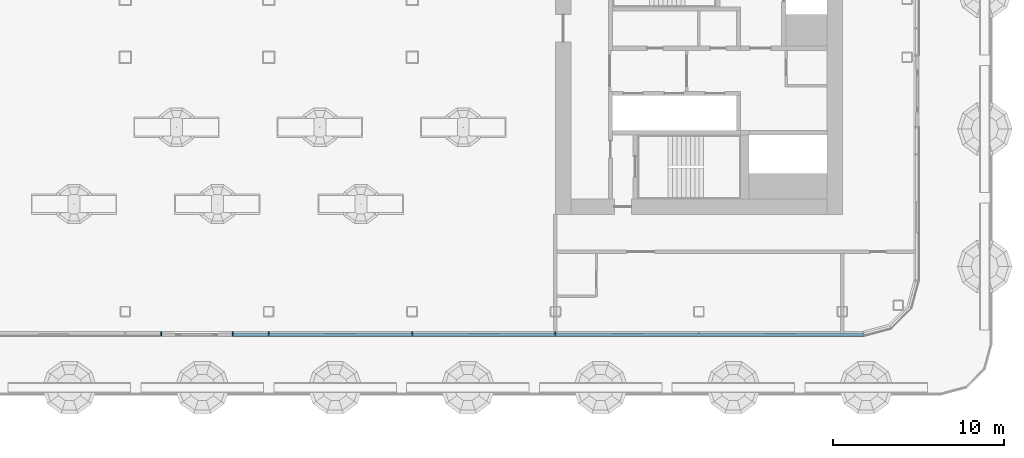
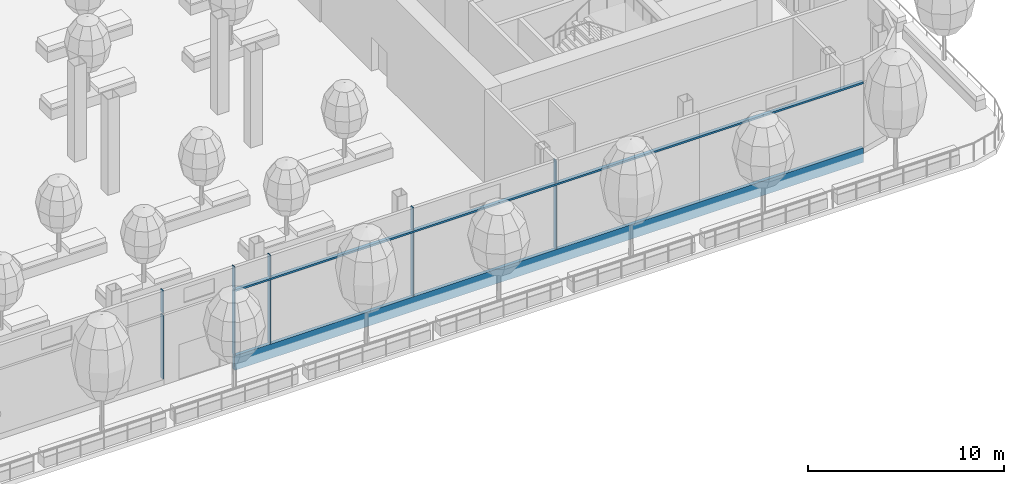
# One storey, part 4 of 41: 12 members, 1 element without a shape of its own.
"""IFC4 building model written with IfcOpenShell, lengths in metres."""

from ifc_helpers import new_model, si_unit, direction, frame, origin, origin_2d, place, context, subcontext, project, spatial, rectangle, extrude, material, layer, layer_set, material_profile, profile_set, type_object, element, aggregate, save


model = new_model("IFC4")

# Units and contexts
model_context = context("Model", 3, precision=1e-05, world=origin(), true_north=direction((0.0, 1.0)))
body_context = subcontext(model_context, "Body", "Model", "MODEL_VIEW")
ifc_project = project(units=[si_unit("LENGTHUNIT", "METRE"), si_unit("AREAUNIT", "SQUARE_METRE"), si_unit("VOLUMEUNIT", "CUBIC_METRE"), si_unit("PLANEANGLEUNIT", "RADIAN"), si_unit("MASSUNIT", "GRAM", prefix="KILO")], contexts=[model_context])

# Site, building, storey
site_placement = place(None, origin())
site = spatial("IfcSite", under=ifc_project, at=site_placement, CompositionType="ELEMENT")
building_placement = place(site_placement, origin())
building = spatial("IfcBuilding", under=site, at=building_placement, Name="Hakoniwa Tower and Hamabe Station Hall", CompositionType="ELEMENT")
storey_placement = place(building_placement, frame((0.0, 0.0, 180.199951171875)))
storey = spatial("IfcBuildingStorey", under=building, at=storey_placement, Name="L51", CompositionType="ELEMENT", Elevation=180.199951171875)

# Curtain wall, members
ifc_material_1 = material(Name="Dark low-e laminated glass", Category="glass")
ifc_layer = layer(ifc_material_1, 0.199951171875)
ifc_layer_set = layer_set([ifc_layer], Name="CW-2 SKY GARDEN")
curtain_wall_type = type_object("IfcCurtainWallType", Name="CW-2 SKY GARDEN", PredefinedType="NOTDEFINED", material=ifc_layer_set)
curtain_wall_placement = place(storey_placement, origin())
curtain_wall = element("IfcCurtainWall", 1, at=curtain_wall_placement, inside=storey, type_object=curtain_wall_type, Name="CW-2 curtain wall", PredefinedType="NOTDEFINED")
ifc_material_2 = material(Name="Aluminium 6063-T5 black anodised", Category="aluminium")
ifc_material_profile_1 = material_profile(ifc_material_2, rectangle(XDim=0.199951171875, YDim=0.1201171875, at=origin_2d()), Name="CW MID TRANSOM 120X200")
ifc_profile_set_1 = profile_set([ifc_material_profile_1], Name="Aluminium 6063-T5 black anodised")
member_type_1 = type_object("IfcMemberType", Name="CW MID TRANSOM 120X200", PredefinedType="USERDEFINED", material=ifc_profile_set_1)
member_1_placement = place(storey_placement, frame((-2.1298828125, -15.449951171875, 4.39013671875), z_axis=(1.0, 0.0, 0.0), x_axis=(0.0, 1.0, 0.0)))
member_1 = element("IfcMember", 2, at=member_1_placement, type_object=member_type_1, Name="CW-2 transom", ObjectType="TRANSOM", PredefinedType="USERDEFINED", context=body_context, shape_type="SweptSolid", body=[
    extrude(rectangle(XDim=0.199951171875, YDim=0.1201171875, at=origin_2d()), origin(), (0.0, 0.0, 1.0), 36.969482421875),
])
ifc_material_3 = material(Name="Aluminium 6063-T5 black anodised", Category="aluminium")
ifc_material_profile_2 = material_profile(ifc_material_3, rectangle(XDim=0.199951171875, YDim=0.89990234375, at=origin_2d()), Name="CW SLAB-EDGE BAND 900X200")
ifc_profile_set_2 = profile_set([ifc_material_profile_2], Name="Aluminium 6063-T5 black anodised")
member_type_2 = type_object("IfcMemberType", Name="CW SLAB-EDGE BAND 900X200", PredefinedType="USERDEFINED", material=ifc_profile_set_2)
member_2_placement = place(storey_placement, frame((-2.1298828125, -15.449951171875, -0.099853515625), z_axis=(1.0, 0.0, 0.0), x_axis=(0.0, 1.0, 0.0)))
member_2 = element("IfcMember", 3, at=member_2_placement, type_object=member_type_2, Name="CW-2 transom", ObjectType="TRANSOM", PredefinedType="USERDEFINED", context=body_context, shape_type="SweptSolid", body=[
    extrude(rectangle(XDim=0.199951171875, YDim=0.89990234375, at=origin_2d()), origin(), (0.0, 0.0, 1.0), 36.969482421875),
])
ifc_material_4 = material(Name="Aluminium 6063-T5 black anodised", Category="aluminium")
ifc_material_profile_3 = material_profile(ifc_material_4, rectangle(XDim=0.06005859375, YDim=0.239990234375, at=origin_2d()), Name="CW-2 MULLION 60X240")
ifc_profile_set_3 = profile_set([ifc_material_profile_3], Name="Aluminium 6063-T5 black anodised")
member_type_3 = type_object("IfcMemberType", Name="CW-2 MULLION 60X240", PredefinedType="MULLION", material=ifc_profile_set_3)
member_3_placement = place(storey_placement, frame((-6.300048828125, -15.402099609375, 0.35009765625), z_axis=(0.0, 0.0, 1.0), x_axis=(1.0, 0.0, 0.0)))
member_3 = element("IfcMember", 4, at=member_3_placement, type_object=member_type_3, Name="CW-2 mullion", PredefinedType="MULLION", context=body_context, shape_type="SweptSolid", body=[
    extrude(rectangle(XDim=0.06005859375, YDim=0.239990234375, at=origin_2d()), origin(), (0.0, 0.0, 1.0), 3.97998046875),
])
member_4_placement = place(storey_placement, frame((-6.300048828125, -15.402099609375, 4.449951171875), z_axis=(0.0, 0.0, 1.0), x_axis=(1.0, 0.0, 0.0)))
member_4 = element("IfcMember", 5, at=member_4_placement, type_object=member_type_3, Name="CW-2 mullion", PredefinedType="MULLION", context=body_context, shape_type="SweptSolid", body=[
    extrude(rectangle(XDim=0.06005859375, YDim=0.239990234375, at=origin_2d()), origin(), (0.0, 0.0, 1.0), 1.400146484375),
])
member_5_placement = place(storey_placement, frame((-2.10009765625, -15.402099609375, 0.35009765625), z_axis=(0.0, 0.0, 1.0), x_axis=(1.0, 0.0, 0.0)))
member_5 = element("IfcMember", 6, at=member_5_placement, type_object=member_type_3, Name="CW-2 mullion", PredefinedType="MULLION", context=body_context, shape_type="SweptSolid", body=[
    extrude(rectangle(XDim=0.06005859375, YDim=0.239990234375, at=origin_2d()), origin(), (0.0, 0.0, 1.0), 3.97998046875),
])
member_6_placement = place(storey_placement, frame((-2.10009765625, -15.402099609375, 4.449951171875), z_axis=(0.0, 0.0, 1.0), x_axis=(1.0, 0.0, 0.0)))
member_6 = element("IfcMember", 7, at=member_6_placement, type_object=member_type_3, Name="CW-2 mullion", PredefinedType="MULLION", context=body_context, shape_type="SweptSolid", body=[
    extrude(rectangle(XDim=0.06005859375, YDim=0.239990234375, at=origin_2d()), origin(), (0.0, 0.0, 1.0), 1.400146484375),
])
member_7_placement = place(storey_placement, frame((0.0, -15.402099609375, 0.35009765625), z_axis=(0.0, 0.0, 1.0), x_axis=(1.0, 0.0, 0.0)))
member_7 = element("IfcMember", 8, at=member_7_placement, type_object=member_type_3, Name="CW-2 mullion", PredefinedType="MULLION", context=body_context, shape_type="SweptSolid", body=[
    extrude(rectangle(XDim=0.06005859375, YDim=0.239990234375, at=origin_2d()), origin(), (0.0, 0.0, 1.0), 3.97998046875),
])
member_8_placement = place(storey_placement, frame((0.0, -15.402099609375, 4.449951171875), z_axis=(0.0, 0.0, 1.0), x_axis=(1.0, 0.0, 0.0)))
member_8 = element("IfcMember", 9, at=member_8_placement, type_object=member_type_3, Name="CW-2 mullion", PredefinedType="MULLION", context=body_context, shape_type="SweptSolid", body=[
    extrude(rectangle(XDim=0.06005859375, YDim=0.239990234375, at=origin_2d()), origin(), (0.0, 0.0, 1.0), 1.400146484375),
])
member_9_placement = place(storey_placement, frame((8.39990234375, -15.402099609375, 0.35009765625), z_axis=(0.0, 0.0, 1.0), x_axis=(1.0, 0.0, 0.0)))
member_9 = element("IfcMember", 10, at=member_9_placement, type_object=member_type_3, Name="CW-2 mullion", PredefinedType="MULLION", context=body_context, shape_type="SweptSolid", body=[
    extrude(rectangle(XDim=0.06005859375, YDim=0.239990234375, at=origin_2d()), origin(), (0.0, 0.0, 1.0), 3.97998046875),
])
member_10_placement = place(storey_placement, frame((8.39990234375, -15.402099609375, 4.449951171875), z_axis=(0.0, 0.0, 1.0), x_axis=(1.0, 0.0, 0.0)))
member_10 = element("IfcMember", 11, at=member_10_placement, type_object=member_type_3, Name="CW-2 mullion", PredefinedType="MULLION", context=body_context, shape_type="SweptSolid", body=[
    extrude(rectangle(XDim=0.06005859375, YDim=0.239990234375, at=origin_2d()), origin(), (0.0, 0.0, 1.0), 1.400146484375),
])
member_11_placement = place(storey_placement, frame((16.800048828125, -15.402099609375, 0.35009765625), z_axis=(0.0, 0.0, 1.0), x_axis=(1.0, 0.0, 0.0)))
member_11 = element("IfcMember", 12, at=member_11_placement, type_object=member_type_3, Name="CW-2 mullion", PredefinedType="MULLION", context=body_context, shape_type="SweptSolid", body=[
    extrude(rectangle(XDim=0.06005859375, YDim=0.239990234375, at=origin_2d()), origin(), (0.0, 0.0, 1.0), 3.97998046875),
])
member_12_placement = place(storey_placement, frame((16.800048828125, -15.402099609375, 4.449951171875), z_axis=(0.0, 0.0, 1.0), x_axis=(1.0, 0.0, 0.0)))
member_12 = element("IfcMember", 13, at=member_12_placement, type_object=member_type_3, Name="CW-2 mullion", PredefinedType="MULLION", context=body_context, shape_type="SweptSolid", body=[
    extrude(rectangle(XDim=0.06005859375, YDim=0.239990234375, at=origin_2d()), origin(), (0.0, 0.0, 1.0), 1.400146484375),
])
aggregate(curtain_wall, [member_3, member_4, member_5, member_6, member_7, member_8, member_9, member_10, member_11, member_12, member_2, member_1])

save(model, "model.ifc")
